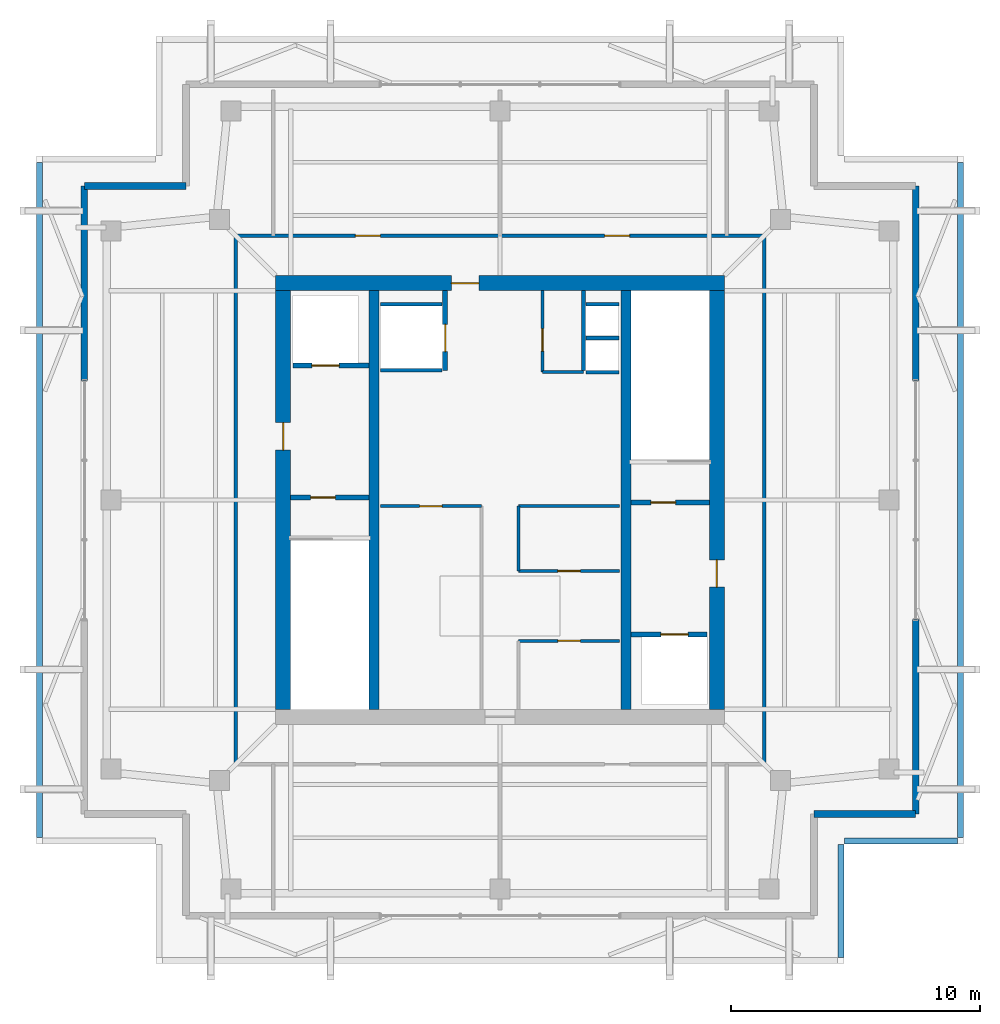
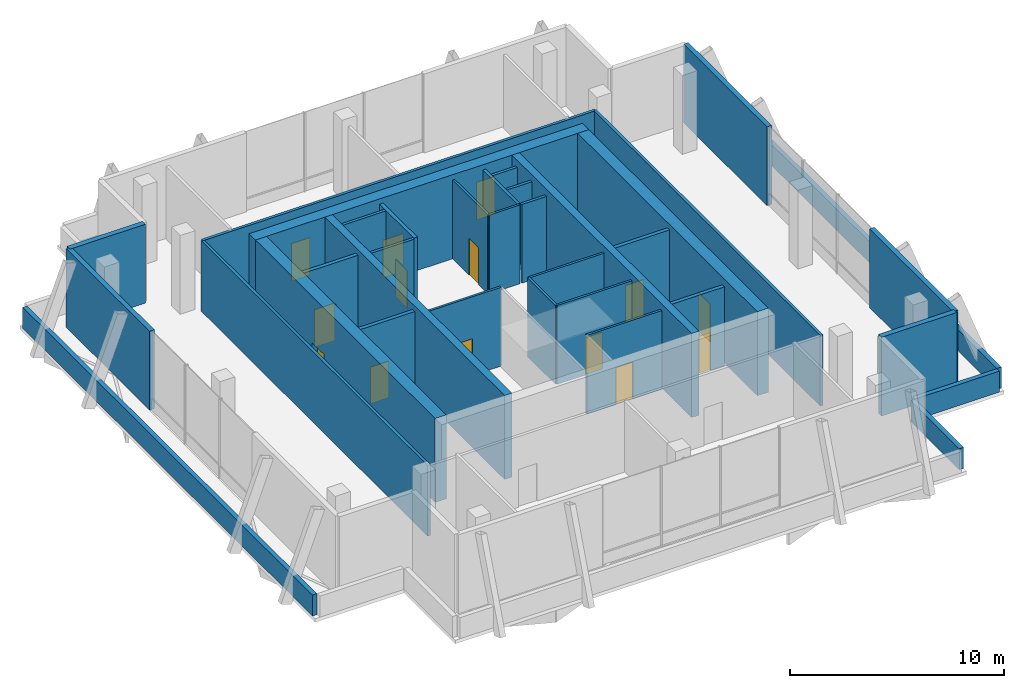
# One storey, part 13 of 15: 35 walls, 14 doors, 14 openings.
"""IFC4 building model written with IfcOpenShell, lengths in metres."""

from ifc_helpers import new_model, si_unit, direction, frame, frame_2d, origin, place, context, subcontext, project, spatial, rectangle, extrude, material, layer, layer_set, type_object, element, fill, save


model = new_model("IFC4")

# Units and contexts
model_context = context("Model", 3, precision=1e-05, world=origin(), true_north=direction((0.0, 1.0)))
body_context = subcontext(model_context, "Body", "Model", "MODEL_VIEW")
ifc_project = project(units=[si_unit("LENGTHUNIT", "METRE"), si_unit("AREAUNIT", "SQUARE_METRE"), si_unit("VOLUMEUNIT", "CUBIC_METRE"), si_unit("PLANEANGLEUNIT", "RADIAN"), si_unit("MASSUNIT", "GRAM", prefix="KILO")], contexts=[model_context])

# Site, building, storey
site_placement = place(None, origin())
site = spatial("IfcSite", under=ifc_project, at=site_placement, CompositionType="ELEMENT")
building_placement = place(site_placement, origin())
building = spatial("IfcBuilding", under=site, at=building_placement, Name="Belovzor Exchange Tower", CompositionType="ELEMENT")
storey_placement = place(building_placement, frame((0.0, 0.0, 373.800048828125)))
storey = spatial("IfcBuildingStorey", under=building, at=storey_placement, Name="L93", CompositionType="ELEMENT", Elevation=373.800048828125)

# Wall, opening, door
ifc_material_1 = material(Name="Fire-Rated Plasterboard on Galvanised Studs", Category="gypsum")
ifc_layer_1 = layer(ifc_material_1, 0.1201171875)
ifc_layer_set_1 = layer_set([ifc_layer_1], Name="Fire-Rated Plasterboard on Galvanised Studs")
wall_type_1 = type_object("IfcWallType", Name="Fire-Rated Double-Stud Partition Wall 120", PredefinedType="PARTITIONING", material=ifc_layer_set_1)
wall_1_placement = place(storey_placement, frame((30.5, 33.925048828125, 0.0), z_axis=(0.0, 0.0, 1.0), x_axis=(0.0, 1.0, 0.0)))
wall_1 = element("IfcWall", 1, at=wall_1_placement, inside=storey, type_object=wall_type_1, Name="W-P120F Partition Wall W-CRV-L93-W", PredefinedType="PARTITIONING", context=body_context, shape_type="SweptSolid", body=[
    extrude(rectangle(XDim=3.27490234375, YDim=0.1201171875, at=frame_2d((1.637451171875, 0.0))), origin(), (0.0, 0.0, 1.0), 4.5),
])
opening_1_placement = place(wall_1_placement, frame((0.85009765625, 0.0, 0.0)))
opening_1 = element("IfcOpeningElement", 2, at=opening_1_placement, cuts=wall_1, Name="Opening D-FD60-090", PredefinedType="OPENING", context=body_context, shape_type="SweptSolid", body=[
    extrude(rectangle(XDim=0.89990234375, YDim=2.10009765625, at=frame_2d((0.449951171875, 1.050048828125))), frame((0.0, 0.070068359375, 0.0), z_axis=(0.0, -1.0, 0.0), x_axis=(1.0, 0.0, 0.0)), (0.0, 0.0, 1.0), 0.14013671875),
])
ifc_material_2 = material(Name="Acoustic Timber Fire Leaf", Category="wood")
door_type_1 = type_object("IfcDoorType", Name="Core Service & Restroom Fire Door 900x2100", OperationType="NOTDEFINED", PredefinedType="DOOR", material=ifc_material_2)
door_1_placement = place(opening_1_placement, origin())
door_1 = element("IfcDoor", 3, at=door_1_placement, inside=storey, type_object=door_type_1, Name="D-FD60-090 Core Service & Restroom Fire Door 900x2100", OperationType="SINGLE_SWING_LEFT", OverallHeight=2.10009765625, OverallWidth=0.89990234375, PredefinedType="DOOR", context=body_context, shape_type="SweptSolid", body=[
    extrude(rectangle(XDim=0.89990234375, YDim=2.10009765625, at=frame_2d((0.449951171875, 1.050048828125))), frame((0.0, 0.02490234375, 0.0), z_axis=(0.0, -1.0, 0.0), x_axis=(1.0, 0.0, 0.0)), (0.0, 0.0, 1.0), 0.050048828125),
])
fill(opening_1, door_1)

# Wall
wall_2_placement = place(storey_placement, frame((30.5, 33.925048828125, 0.0), z_axis=(0.0, 0.0, 1.0), x_axis=(1.0, 0.0, 0.0)))
element("IfcWall", 4, at=wall_2_placement, inside=storey, type_object=wall_type_1, Name="W-P120F Partition Wall W-CRV-L93-S", PredefinedType="PARTITIONING", context=body_context, shape_type="SweptSolid", body=[
    extrude(rectangle(XDim=1.64990234375, YDim=0.1201171875, at=frame_2d((0.824951171875, 0.0))), origin(), (0.0, 0.0, 1.0), 4.5),
])

# Wall, opening, door
wall_3_placement = place(storey_placement, frame((24.0, 28.550048828125, 0.0), z_axis=(0.0, 0.0, 1.0), x_axis=(1.0, 0.0, 0.0)))
wall_3 = element("IfcWall", 5, at=wall_3_placement, inside=storey, type_object=wall_type_1, Name="W-P120F Partition Wall W-CRWB-L93-N", PredefinedType="PARTITIONING", context=body_context, shape_type="SweptSolid", body=[
    extrude(rectangle(XDim=4.050048828125, YDim=0.1201171875, at=frame_2d((2.02490234375, 0.0))), origin(), (0.0, 0.0, 1.0), 4.5),
])
opening_2_placement = place(wall_3_placement, frame((1.574951171875, 0.0, 0.0)))
opening_2 = element("IfcOpeningElement", 6, at=opening_2_placement, cuts=wall_3, Name="Opening D-FD60-090", PredefinedType="OPENING", context=body_context, shape_type="SweptSolid", body=[
    extrude(rectangle(XDim=0.89990234375, YDim=2.10009765625, at=frame_2d((0.449951171875, 1.050048828125))), frame((0.0, 0.070068359375, 0.0), z_axis=(0.0, -1.0, 0.0), x_axis=(1.0, 0.0, 0.0)), (0.0, 0.0, 1.0), 0.14013671875),
])
door_2_placement = place(opening_2_placement, origin())
door_2 = element("IfcDoor", 7, at=door_2_placement, inside=storey, type_object=door_type_1, Name="D-FD60-090 Core Service & Restroom Fire Door 900x2100", OperationType="SINGLE_SWING_LEFT", OverallHeight=2.10009765625, OverallWidth=0.89990234375, PredefinedType="DOOR", context=body_context, shape_type="SweptSolid", body=[
    extrude(rectangle(XDim=0.89990234375, YDim=2.10009765625, at=frame_2d((0.449951171875, 1.050048828125))), frame((0.0, 0.02490234375, 0.0), z_axis=(0.0, -1.0, 0.0), x_axis=(1.0, 0.0, 0.0)), (0.0, 0.0, 1.0), 0.050048828125),
])
fill(opening_2, door_2)

wall_4_placement = place(storey_placement, frame((29.550048828125, 23.14990234375, 0.0), z_axis=(0.0, 0.0, 1.0), x_axis=(1.0, 0.0, 0.0)))
wall_4 = element("IfcWall", 8, at=wall_4_placement, inside=storey, type_object=wall_type_1, Name="W-P120F Partition Wall W-CRL-L93-EN", PredefinedType="PARTITIONING", context=body_context, shape_type="SweptSolid", body=[
    extrude(rectangle(XDim=4.050048828125, YDim=0.1201171875, at=frame_2d((2.02490234375, 0.0))), origin(), (0.0, 0.0, 1.0), 4.5),
])
opening_3_placement = place(wall_4_placement, frame((1.574951171875, 0.0, 0.0)))
opening_3 = element("IfcOpeningElement", 9, at=opening_3_placement, cuts=wall_4, Name="Opening D-FD60-090", PredefinedType="OPENING", context=body_context, shape_type="SweptSolid", body=[
    extrude(rectangle(XDim=0.89990234375, YDim=2.10009765625, at=frame_2d((0.449951171875, 1.050048828125))), frame((0.0, 0.070068359375, 0.0), z_axis=(0.0, -1.0, 0.0), x_axis=(1.0, 0.0, 0.0)), (0.0, 0.0, 1.0), 0.14013671875),
])
door_3_placement = place(opening_3_placement, origin())
door_3 = element("IfcDoor", 10, at=door_3_placement, inside=storey, type_object=door_type_1, Name="D-FD60-090 Core Service & Restroom Fire Door 900x2100", OperationType="SINGLE_SWING_RIGHT", OverallHeight=2.10009765625, OverallWidth=0.89990234375, PredefinedType="DOOR", context=body_context, shape_type="SweptSolid", body=[
    extrude(rectangle(XDim=0.89990234375, YDim=2.10009765625, at=frame_2d((0.449951171875, 1.050048828125))), frame((0.0, 0.02490234375, 0.0), z_axis=(0.0, -1.0, 0.0), x_axis=(1.0, 0.0, 0.0)), (0.0, 0.0, 1.0), 0.050048828125),
])
fill(opening_3, door_3)

wall_5_placement = place(storey_placement, frame((29.550048828125, 25.949951171875, 0.0), z_axis=(0.0, 0.0, 1.0), x_axis=(1.0, 0.0, 0.0)))
wall_5 = element("IfcWall", 11, at=wall_5_placement, inside=storey, type_object=wall_type_1, Name="W-P120F Partition Wall W-CRM-L93-ES", PredefinedType="PARTITIONING", context=body_context, shape_type="SweptSolid", body=[
    extrude(rectangle(XDim=4.050048828125, YDim=0.1201171875, at=frame_2d((2.02490234375, 0.0))), origin(), (0.0, 0.0, 1.0), 4.5),
])
opening_4_placement = place(wall_5_placement, frame((1.574951171875, 0.0, 0.0)))
opening_4 = element("IfcOpeningElement", 12, at=opening_4_placement, cuts=wall_5, Name="Opening D-FD60-090", PredefinedType="OPENING", context=body_context, shape_type="SweptSolid", body=[
    extrude(rectangle(XDim=0.89990234375, YDim=2.10009765625, at=frame_2d((0.449951171875, 1.050048828125))), frame((0.0, 0.070068359375, 0.0), z_axis=(0.0, -1.0, 0.0), x_axis=(1.0, 0.0, 0.0)), (0.0, 0.0, 1.0), 0.14013671875),
])
door_4_placement = place(opening_4_placement, origin())
door_4 = element("IfcDoor", 13, at=door_4_placement, inside=storey, type_object=door_type_1, Name="D-FD60-090 Core Service & Restroom Fire Door 900x2100", OperationType="SINGLE_SWING_RIGHT", OverallHeight=2.10009765625, OverallWidth=0.89990234375, PredefinedType="DOOR", context=body_context, shape_type="SweptSolid", body=[
    extrude(rectangle(XDim=0.89990234375, YDim=2.10009765625, at=frame_2d((0.449951171875, 1.050048828125))), frame((0.0, 0.02490234375, 0.0), z_axis=(0.0, -1.0, 0.0), x_axis=(1.0, 0.0, 0.0)), (0.0, 0.0, 1.0), 0.050048828125),
])
fill(opening_4, door_4)

# Walls
wall_6_placement = place(storey_placement, frame((29.550048828125, 28.550048828125, 0.0), z_axis=(0.0, 0.0, 1.0), x_axis=(1.0, 0.0, 0.0)))
element("IfcWall", 14, at=wall_6_placement, inside=storey, type_object=wall_type_1, Name="W-P120F Partition Wall W-CRM-L93-EN", PredefinedType="PARTITIONING", context=body_context, shape_type="SweptSolid", body=[
    extrude(rectangle(XDim=4.050048828125, YDim=0.1201171875, at=frame_2d((2.02490234375, 0.0))), origin(), (0.0, 0.0, 1.0), 4.5),
])
wall_7_placement = place(storey_placement, frame((29.550048828125, 25.949951171875, 0.0), z_axis=(0.0, 0.0, 1.0), x_axis=(0.0, 1.0, 0.0)))
element("IfcWall", 15, at=wall_7_placement, inside=storey, type_object=wall_type_1, Name="W-P120F Partition Wall W-CRM-L93-EW", PredefinedType="PARTITIONING", context=body_context, shape_type="SweptSolid", body=[
    extrude(rectangle(XDim=2.60009765625, YDim=0.1201171875, at=frame_2d((1.300048828125, 0.0))), origin(), (0.0, 0.0, 1.0), 4.5),
])

# Wall, openings, doors
ifc_material_3 = material(Name="Fire-Rated Gypsum Block and Mineral Wool", Category="gypsum")
ifc_layer_2 = layer(ifc_material_3, 0.14990234375)
ifc_layer_set_2 = layer_set([ifc_layer_2], Name="Fire-Rated Gypsum Block and Mineral Wool")
wall_type_2 = type_object("IfcWallType", Name="Fire-Rated Gypsum Block Corridor Wall 150", PredefinedType="PARTITIONING", material=ifc_layer_set_2)
wall_8_placement = place(storey_placement, frame((18.199951171875, 39.39990234375, 0.0), z_axis=(0.0, 0.0, 1.0), x_axis=(1.0, 0.0, 0.0)))
wall_8 = element("IfcWall", 16, at=wall_8_placement, inside=storey, type_object=wall_type_2, Name="W-P150 Partition Wall W-L93-PCN", PredefinedType="PARTITIONING", context=body_context, shape_type="SweptSolid", body=[
    extrude(rectangle(XDim=21.199951171875, YDim=0.14990234375, at=frame_2d((10.60009765625, 0.0))), origin(), (0.0, 0.0, 1.0), 4.034912109375),
])
opening_5_placement = place(wall_8_placement, frame((4.800048828125, 0.0, 0.0)))
opening_5 = element("IfcOpeningElement", 17, at=opening_5_placement, cuts=wall_8, Name="Opening D-FD90-105", PredefinedType="OPENING", context=body_context, shape_type="SweptSolid", body=[
    extrude(rectangle(XDim=1.0, YDim=2.14990234375, at=frame_2d((0.5, 1.074951171875))), frame((0.0, 0.0849609375, 0.0), z_axis=(0.0, -1.0, 0.0), x_axis=(1.0, 0.0, 0.0)), (0.0, 0.0, 1.0), 0.169921875),
])
opening_6_placement = place(wall_8_placement, frame((14.800048828125, 0.0, 0.0)))
opening_6 = element("IfcOpeningElement", 18, at=opening_6_placement, cuts=wall_8, Name="Opening D-FD90-105", PredefinedType="OPENING", context=body_context, shape_type="SweptSolid", body=[
    extrude(rectangle(XDim=1.0, YDim=2.14990234375, at=frame_2d((0.5, 1.074951171875))), frame((0.0, 0.0849609375, 0.0), z_axis=(0.0, -1.0, 0.0), x_axis=(1.0, 0.0, 0.0)), (0.0, 0.0, 1.0), 0.169921875),
])
ifc_material_4 = material(Name="Fire-Rated Galvanised Steel Leaf", Category="steel")
door_type_2 = type_object("IfcDoorType", Name="Core North Foyer Fire Door 1000x2150", OperationType="NOTDEFINED", PredefinedType="DOOR", material=ifc_material_4)
door_5_placement = place(opening_5_placement, origin())
door_5 = element("IfcDoor", 19, at=door_5_placement, inside=storey, type_object=door_type_2, Name="D-FD90-105 Core North Foyer Fire Door 1000x2150", OperationType="SINGLE_SWING_LEFT", OverallHeight=2.14990234375, OverallWidth=1.0, PredefinedType="DOOR", context=body_context, shape_type="SweptSolid", body=[
    extrude(rectangle(XDim=1.0, YDim=2.14990234375, at=frame_2d((0.5, 1.074951171875))), frame((0.0, 0.02490234375, 0.0), z_axis=(0.0, -1.0, 0.0), x_axis=(1.0, 0.0, 0.0)), (0.0, 0.0, 1.0), 0.050048828125),
])
fill(opening_5, door_5)
door_6_placement = place(opening_6_placement, origin())
door_6 = element("IfcDoor", 20, at=door_6_placement, inside=storey, type_object=door_type_2, Name="D-FD90-105 Core North Foyer Fire Door 1000x2150", OperationType="SINGLE_SWING_RIGHT", OverallHeight=2.14990234375, OverallWidth=1.0, PredefinedType="DOOR", context=body_context, shape_type="SweptSolid", body=[
    extrude(rectangle(XDim=1.0, YDim=2.14990234375, at=frame_2d((0.5, 1.074951171875))), frame((0.0, 0.02490234375, 0.0), z_axis=(0.0, -1.0, 0.0), x_axis=(1.0, 0.0, 0.0)), (0.0, 0.0, 1.0), 0.050048828125),
])
fill(opening_6, door_6)

# Walls
for number, where, z_axis, x_axis, name in (
    (21, (18.199951171875, 18.199951171875, 0.0), (0.0, 0.0, 1.0), (0.0, 1.0, 0.0), "W-P150 Partition Wall W-L93-PCW"),
    (22, (39.39990234375, 18.199951171875, 0.0), (0.0, 0.0, 1.0), (0.0, 1.0, 0.0), "W-P150 Partition Wall W-L93-PCE"),
):
    element("IfcWall", number, at=place(storey_placement, frame(where, z_axis=z_axis, x_axis=x_axis)), inside=storey, type_object=wall_type_2, Name=name, PredefinedType="PARTITIONING", context=body_context, shape_type="SweptSolid", body=[
        extrude(rectangle(XDim=21.199951171875, YDim=0.14990234375, at=frame_2d((10.60009765625, 0.0))), origin(), (0.0, 0.0, 1.0), 4.034912109375),
    ])
ifc_material_5 = material(Name="Precast concrete C40/50", Category="concrete")
ifc_layer_3 = layer(ifc_material_5, 0.280029296875)
ifc_layer_set_3 = layer_set([ifc_layer_3], Name="Precast concrete C40/50")
wall_type_3 = type_object("IfcWallType", Name="Precast Concrete Notched Corner Frame Wall 280", PredefinedType="SOLIDWALL", material=ifc_layer_set_3)
for number, where, z_axis, x_axis, name in (
    (23, (12.1298828125, 41.39990234375, 0.0), (0.0, 0.0, 1.0), (1.0, 0.0, 0.0), "W-CRN280 Precast Concrete Notched Corner Frame Wall 280 L93"),
    (24, (45.469970703125, 16.199951171875, 0.0), (0.0, 0.0, 1.0), (-1.0, 0.0, 0.0), "W-CRN280 Precast Concrete Notched Corner Frame Wall 280 L93"),
):
    element("IfcWall", number, at=place(storey_placement, frame(where, z_axis=z_axis, x_axis=x_axis)), inside=storey, type_object=wall_type_3, Name=name, PredefinedType="SOLIDWALL", context=body_context, shape_type="SweptSolid", body=[
        extrude(rectangle(XDim=4.070068359375, YDim=0.280029296875, at=frame_2d((2.03515625, 0.0))), origin(), (0.0, 0.0, 1.0), 4.5),
    ])
ifc_material_6 = material(Name="Precast concrete C40/50", Category="concrete")
ifc_layer_4 = layer(ifc_material_6, 0.260009765625)
ifc_layer_set_4 = layer_set([ifc_layer_4], Name="Precast concrete C40/50")
wall_type_4 = type_object("IfcWallType", Name="Precast Concrete Perimeter Loggia Frame Wall 260", PredefinedType="SOLIDWALL", material=ifc_layer_set_4)
for number, where, z_axis, x_axis, name in (
    (25, (12.1298828125, 33.60009765625, 0.0), (0.0, 0.0, 1.0), (0.0, 1.0, 0.0), "W-EXT260 Precast Concrete Perimeter Loggia Frame Wall 260 L93"),
    (26, (45.469970703125, 41.39990234375, 0.0), (0.0, 0.0, 1.0), (0.0, -1.0, 0.0), "W-EXT260 Precast Concrete Perimeter Loggia Frame Wall 260 L93"),
):
    element("IfcWall", number, at=place(storey_placement, frame(where, z_axis=z_axis, x_axis=x_axis)), inside=storey, type_object=wall_type_4, Name=name, PredefinedType="SOLIDWALL", context=body_context, shape_type="SweptSolid", body=[
        extrude(rectangle(XDim=7.7998046875, YDim=0.260009765625, at=frame_2d((3.89990234375, 0.0))), origin(), (0.0, 0.0, 1.0), 4.5),
    ])
wall_9_placement = place(storey_placement, frame((45.469970703125, 24.0, 0.0), z_axis=(0.0, 0.0, 1.0), x_axis=(0.0, -1.0, 0.0)))
element("IfcWall", 27, at=wall_9_placement, inside=storey, type_object=wall_type_4, Name="W-EXT260 Precast Concrete Perimeter Loggia Frame Wall 260 L93", PredefinedType="SOLIDWALL", context=body_context, shape_type="SweptSolid", body=[
    extrude(rectangle(XDim=7.800048828125, YDim=0.260009765625, at=frame_2d((3.89990234375, 0.0))), origin(), (0.0, 0.0, 1.0), 4.5),
])
ifc_material_7 = material(Name="Precast concrete C40/50", Category="concrete")
ifc_layer_5 = layer(ifc_material_7, 0.239990234375)
ifc_layer_set_5 = layer_set([ifc_layer_5], Name="Precast concrete C40/50")
wall_type_5 = type_object("IfcWallType", Name="Precast Stone Setback Roof Parapet Wall 240", PredefinedType="PARAPET", material=ifc_layer_set_5)
for number, where, z_axis, x_axis, name in (
    (28, (42.47998046875, 10.455078125, 0.0), (0.0, 0.0, 1.0), (0.0, 1.0, 0.0), "W-PAR240 Precast Stone Setback Roof Parapet Wall 240 L93"),
    (29, (42.614990234375, 15.1201171875, 0.0), (0.0, 0.0, 1.0), (1.0, 0.0, 0.0), "W-PAR240 Precast Stone Setback Roof Parapet Wall 240 L93"),
):
    element("IfcWall", number, at=place(storey_placement, frame(where, z_axis=z_axis, x_axis=x_axis)), inside=storey, type_object=wall_type_5, Name=name, PredefinedType="PARAPET", context=body_context, shape_type="SweptSolid", body=[
        extrude(rectangle(XDim=4.530029296875, YDim=0.239990234375, at=frame_2d((2.26513671875, 0.0))), origin(), (0.0, 0.0, 1.0), 1.199951171875),
    ])
for number, where, z_axis, x_axis, name in (
    (30, (47.280029296875, 15.2548828125, 0.0), (0.0, 0.0, 1.0), (0.0, 1.0, 0.0), "W-PAR240 Precast Stone Setback Roof Parapet Wall 240 L93"),
    (31, (10.320068359375, 42.344970703125, 0.0), (0.0, 0.0, 1.0), (0.0, -1.0, 0.0), "W-PAR240 Precast Stone Setback Roof Parapet Wall 240 L93"),
):
    element("IfcWall", number, at=place(storey_placement, frame(where, z_axis=z_axis, x_axis=x_axis)), inside=storey, type_object=wall_type_5, Name=name, PredefinedType="PARAPET", context=body_context, shape_type="SweptSolid", body=[
        extrude(rectangle(XDim=27.090087890625, YDim=0.239990234375, at=frame_2d((13.544921875, 0.0))), origin(), (0.0, 0.0, 1.0), 1.199951171875),
    ])
ifc_material_8 = material(Name="Concrete C50/60", Category="concrete")
ifc_layer_6 = layer(ifc_material_8, 0.39990234375)
ifc_layer_set_6 = layer_set([ifc_layer_6], Name="Concrete C50/60")
wall_type_6 = type_object("IfcWallType", Name="Reinforced Concrete Core Internal Web Wall 400", PredefinedType="SHEAR", material=ifc_layer_set_6)
for number, where, z_axis, x_axis, name in (
    (32, (23.75, 20.39990234375, 0.0), (0.0, 0.0, 1.0), (0.0, 1.0, 0.0), "CW-W040 Core Internal Web Wall L93 WL"),
    (33, (33.85009765625, 20.39990234375, 0.0), (0.0, 0.0, 1.0), (0.0, 1.0, 0.0), "CW-W040 Core Internal Web Wall L93 ER"),
):
    element("IfcWall", number, at=place(storey_placement, frame(where, z_axis=z_axis, x_axis=x_axis)), inside=storey, type_object=wall_type_6, Name=name, PredefinedType="SHEAR", context=body_context, shape_type="SweptSolid", body=[
        extrude(rectangle(XDim=16.800048828125, YDim=0.39990234375, at=frame_2d((8.39990234375, 0.0))), origin(), (0.0, 0.0, 1.0), 4.800048828125),
    ])
ifc_material_9 = material(Name="Concrete C50/60", Category="concrete")
ifc_layer_7 = layer(ifc_material_9, 0.14990234375)
ifc_layer_set_7 = layer_set([ifc_layer_7], Name="Concrete C50/60")
wall_type_7 = type_object("IfcWallType", Name="Reinforced Concrete Core Riser Shear Wall 150", PredefinedType="SHEAR", material=ifc_layer_set_7)
wall_10_placement = place(storey_placement, frame((32.14990234375, 34.0, 0.0), z_axis=(0.0, 0.0, 1.0), x_axis=(0.0, 1.0, 0.0)))
element("IfcWall", 34, at=wall_10_placement, inside=storey, type_object=wall_type_7, Name="W-C150S Core Shaft Wall W-RSR-L93-E", PredefinedType="SHEAR", context=body_context, shape_type="SweptSolid", body=[
    extrude(rectangle(XDim=3.199951171875, YDim=0.14990234375, at=frame_2d((1.60009765625, 0.0))), origin(), (0.0, 0.0, 1.0), 4.5),
])
for number, where, z_axis, x_axis, name in (
    (35, (32.25, 33.925048828125, 0.0), (0.0, 0.0, 1.0), (1.0, 0.0, 0.0), "W-C150S Core Shaft Wall W-RSR-L93-S"),
    (36, (32.25, 35.300048828125, 0.0), (0.0, 0.0, 1.0), (1.0, 0.0, 0.0), "W-C150S Core Shaft Wall W-RSR-L93-M"),
):
    element("IfcWall", number, at=place(storey_placement, frame(where, z_axis=z_axis, x_axis=x_axis)), inside=storey, type_object=wall_type_7, Name=name, PredefinedType="SHEAR", context=body_context, shape_type="SweptSolid", body=[
        extrude(rectangle(XDim=1.330078125, YDim=0.14990234375, at=frame_2d((0.6650390625, 0.0))), origin(), (0.0, 0.0, 1.0), 4.5),
    ])
for number, where, z_axis, x_axis, name in (
    (37, (24.0, 34.0, 0.0), (0.0, 0.0, 1.0), (1.0, 0.0, 0.0), "W-C150S Core Shaft Wall W-SH-L93-SL-01S"),
    (38, (24.0, 36.64990234375, 0.0), (0.0, 0.0, 1.0), (1.0, 0.0, 0.0), "W-C150S Core Shaft Wall W-SH-L93-SL-01N"),
):
    element("IfcWall", number, at=place(storey_placement, frame(where, z_axis=z_axis, x_axis=x_axis)), inside=storey, type_object=wall_type_7, Name=name, PredefinedType="SHEAR", context=body_context, shape_type="SweptSolid", body=[
        extrude(rectangle(XDim=2.47998046875, YDim=0.14990234375, at=frame_2d((1.239990234375, 0.0))), origin(), (0.0, 0.0, 1.0), 4.5),
    ])
wall_11_placement = place(storey_placement, frame((32.25, 36.64990234375, 0.0), z_axis=(0.0, 0.0, 1.0), x_axis=(1.0, 0.0, 0.0)))
element("IfcWall", 39, at=wall_11_placement, inside=storey, type_object=wall_type_7, Name="W-C150S Core Shaft Wall W-RSR-L93-N", PredefinedType="SHEAR", context=body_context, shape_type="SweptSolid", body=[
    extrude(rectangle(XDim=1.330078125, YDim=0.14990234375, at=frame_2d((0.6650390625, 0.0))), origin(), (0.0, 0.0, 1.0), 4.5),
])

# Wall, opening, door
ifc_material_10 = material(Name="Concrete C50/60", Category="concrete")
ifc_layer_8 = layer(ifc_material_10, 0.199951171875)
ifc_layer_set_8 = layer_set([ifc_layer_8], Name="Concrete C50/60")
wall_type_8 = type_object("IfcWallType", Name="Reinforced Concrete Core Shaft Shear Wall 200", PredefinedType="SHEAR", material=ifc_layer_set_8)
wall_12_placement = place(storey_placement, frame((20.39990234375, 28.89990234375, 0.0), z_axis=(0.0, 0.0, 1.0), x_axis=(1.0, 0.0, 0.0)))
wall_12 = element("IfcWall", 40, at=wall_12_placement, inside=storey, type_object=wall_type_8, Name="W-C200S Core Shaft Wall W-CORE-L93-FFLW1", PredefinedType="SHEAR", context=body_context, shape_type="SweptSolid", body=[
    extrude(rectangle(XDim=3.150146484375, YDim=0.199951171875, at=frame_2d((1.5751953125, 0.0))), origin(), (0.0, 0.0, 1.0), 4.5),
])
opening_7_placement = place(wall_12_placement, frame((0.800048828125, 0.0, 0.0)))
opening_7 = element("IfcOpeningElement", 41, at=opening_7_placement, cuts=wall_12, Name="Opening D-FD90-100", PredefinedType="OPENING", context=body_context, shape_type="SweptSolid", body=[
    extrude(rectangle(XDim=1.0, YDim=2.10009765625, at=frame_2d((0.5, 1.050048828125))), frame((0.0, 0.10986328125, 0.0), z_axis=(0.0, -1.0, 0.0), x_axis=(1.0, 0.0, 0.0)), (0.0, 0.0, 1.0), 0.219970703125),
])
ifc_material_11 = material(Name="Fire-Rated Galvanised Steel Leaf", Category="steel")
door_type_3 = type_object("IfcDoorType", Name="Protected Stairwell Single Fire Door 1000x2100", OperationType="NOTDEFINED", PredefinedType="DOOR", material=ifc_material_11)
door_7_placement = place(opening_7_placement, origin())
door_7 = element("IfcDoor", 42, at=door_7_placement, inside=storey, type_object=door_type_3, Name="D-FD90-100 Protected Stairwell Single Fire Door 1000x2100", OperationType="SINGLE_SWING_RIGHT", OverallHeight=2.10009765625, OverallWidth=1.0, PredefinedType="DOOR", context=body_context, shape_type="SweptSolid", body=[
    extrude(rectangle(XDim=1.0, YDim=2.10009765625, at=frame_2d((0.5, 1.050048828125))), frame((0.0, 0.02490234375, 0.0), z_axis=(0.0, -1.0, 0.0), x_axis=(1.0, 0.0, 0.0)), (0.0, 0.0, 1.0), 0.050048828125),
])
fill(opening_7, door_7)

wall_13_placement = place(storey_placement, frame((34.050048828125, 28.699951171875, 0.0), z_axis=(0.0, 0.0, 1.0), x_axis=(1.0, 0.0, 0.0)))
wall_13 = element("IfcWall", 43, at=wall_13_placement, inside=storey, type_object=wall_type_8, Name="W-C200S Core Shaft Wall W-CORE-L93-FFLE2", PredefinedType="SHEAR", context=body_context, shape_type="SweptSolid", body=[
    extrude(rectangle(XDim=3.14990234375, YDim=0.199951171875, at=frame_2d((1.574951171875, 0.0))), origin(), (0.0, 0.0, 1.0), 4.5),
])
opening_8_placement = place(wall_13_placement, frame((0.800048828125, 0.0, 0.0)))
opening_8 = element("IfcOpeningElement", 44, at=opening_8_placement, cuts=wall_13, Name="Opening D-FD90-100", PredefinedType="OPENING", context=body_context, shape_type="SweptSolid", body=[
    extrude(rectangle(XDim=1.0, YDim=2.10009765625, at=frame_2d((0.5, 1.050048828125))), frame((0.0, 0.10986328125, 0.0), z_axis=(0.0, -1.0, 0.0), x_axis=(1.0, 0.0, 0.0)), (0.0, 0.0, 1.0), 0.219970703125),
])
door_8_placement = place(opening_8_placement, origin())
door_8 = element("IfcDoor", 45, at=door_8_placement, inside=storey, type_object=door_type_3, Name="D-FD90-100 Protected Stairwell Single Fire Door 1000x2100", OperationType="SINGLE_SWING_LEFT", OverallHeight=2.10009765625, OverallWidth=1.0, PredefinedType="DOOR", context=body_context, shape_type="SweptSolid", body=[
    extrude(rectangle(XDim=1.0, YDim=2.10009765625, at=frame_2d((0.5, 1.050048828125))), frame((0.0, 0.02490234375, 0.0), z_axis=(0.0, -1.0, 0.0), x_axis=(1.0, 0.0, 0.0)), (0.0, 0.0, 1.0), 0.050048828125),
])
fill(opening_8, door_8)

wall_14_placement = place(storey_placement, frame((20.5, 34.199951171875, 0.0), z_axis=(0.0, 0.0, 1.0), x_axis=(1.0, 0.0, 0.0)))
wall_14 = element("IfcWall", 46, at=wall_14_placement, inside=storey, type_object=wall_type_8, Name="W-C200S Core Shaft Wall W-SH-L93-FFL-01", PredefinedType="SHEAR", context=body_context, shape_type="SweptSolid", body=[
    extrude(rectangle(XDim=3.050048828125, YDim=0.199951171875, at=frame_2d((1.52490234375, 0.0))), origin(), (0.0, 0.0, 1.0), 4.5),
])
opening_9_placement = place(wall_14_placement, frame((0.75, 0.0, 0.0)))
opening_9 = element("IfcOpeningElement", 47, at=opening_9_placement, cuts=wall_14, Name="Opening LD-110", PredefinedType="OPENING", context=body_context, shape_type="SweptSolid", body=[
    extrude(rectangle(XDim=1.10009765625, YDim=2.14990234375, at=frame_2d((0.550048828125, 1.074951171875))), frame((0.0, 0.10986328125, 0.0), z_axis=(0.0, -1.0, 0.0), x_axis=(1.0, 0.0, 0.0)), (0.0, 0.0, 1.0), 0.219970703125),
])
ifc_material_12 = material(Name="Stainless Steel Grade 304", Category="steel")
door_type_4 = type_object("IfcDoorType", Name="Automated Stainless Steel Lift Landing Door 1100x2150", OperationType="SLIDING_TO_RIGHT", PredefinedType="DOOR", material=ifc_material_12)
door_9_placement = place(opening_9_placement, origin())
door_9 = element("IfcDoor", 48, at=door_9_placement, inside=storey, type_object=door_type_4, Name="LD-110 Automated Stainless Steel Lift Landing Door 1100x2150", OperationType="SLIDING_TO_RIGHT", OverallHeight=2.14990234375, OverallWidth=1.10009765625, PredefinedType="DOOR", context=body_context, shape_type="SweptSolid", body=[
    extrude(rectangle(XDim=1.10009765625, YDim=2.14990234375, at=frame_2d((0.550048828125, 1.074951171875))), frame((0.0, 0.02490234375, 0.0), z_axis=(0.0, -1.0, 0.0), x_axis=(1.0, 0.0, 0.0)), (0.0, 0.0, 1.0), 0.050048828125),
])
fill(opening_9, door_9)

wall_15_placement = place(storey_placement, frame((34.050048828125, 23.39990234375, 0.0), z_axis=(0.0, 0.0, 1.0), x_axis=(1.0, 0.0, 0.0)))
wall_15 = element("IfcWall", 49, at=wall_15_placement, inside=storey, type_object=wall_type_8, Name="W-C200S Core Shaft Wall W-SH-L93-FFL-02", PredefinedType="SHEAR", context=body_context, shape_type="SweptSolid", body=[
    extrude(rectangle(XDim=3.050048828125, YDim=0.199951171875, at=frame_2d((1.52490234375, 0.0))), origin(), (0.0, 0.0, 1.0), 4.5),
])
opening_10_placement = place(wall_15_placement, frame((1.199951171875, 0.0, 0.0)))
opening_10 = element("IfcOpeningElement", 50, at=opening_10_placement, cuts=wall_15, Name="Opening LD-110", PredefinedType="OPENING", context=body_context, shape_type="SweptSolid", body=[
    extrude(rectangle(XDim=1.10009765625, YDim=2.14990234375, at=frame_2d((0.550048828125, 1.074951171875))), frame((0.0, 0.10986328125, 0.0), z_axis=(0.0, -1.0, 0.0), x_axis=(1.0, 0.0, 0.0)), (0.0, 0.0, 1.0), 0.219970703125),
])
door_10_placement = place(opening_10_placement, origin())
door_10 = element("IfcDoor", 51, at=door_10_placement, inside=storey, type_object=door_type_4, Name="LD-110 Automated Stainless Steel Lift Landing Door 1100x2150", OperationType="SLIDING_TO_RIGHT", OverallHeight=2.14990234375, OverallWidth=1.10009765625, PredefinedType="DOOR", context=body_context, shape_type="SweptSolid", body=[
    extrude(rectangle(XDim=1.10009765625, YDim=2.14990234375, at=frame_2d((0.550048828125, 1.074951171875))), frame((0.0, 0.02490234375, 0.0), z_axis=(0.0, -1.0, 0.0), x_axis=(1.0, 0.0, 0.0)), (0.0, 0.0, 1.0), 0.050048828125),
])
fill(opening_10, door_10)

wall_16_placement = place(storey_placement, frame((26.60009765625, 34.0, 0.0), z_axis=(0.0, 0.0, 1.0), x_axis=(0.0, 1.0, 0.0)))
wall_16 = element("IfcWall", 52, at=wall_16_placement, inside=storey, type_object=wall_type_8, Name="W-C200S Core Shaft Wall W-SH-L93-SL-01", PredefinedType="SHEAR", context=body_context, shape_type="SweptSolid", body=[
    extrude(rectangle(XDim=3.199951171875, YDim=0.199951171875, at=frame_2d((1.60009765625, 0.0))), origin(), (0.0, 0.0, 1.0), 4.5),
])
opening_11_placement = place(wall_16_placement, frame((0.75, 0.0, 0.0)))
opening_11 = element("IfcOpeningElement", 53, at=opening_11_placement, cuts=wall_16, Name="Opening LD-110", PredefinedType="OPENING", context=body_context, shape_type="SweptSolid", body=[
    extrude(rectangle(XDim=1.10009765625, YDim=2.14990234375, at=frame_2d((0.550048828125, 1.074951171875))), frame((0.0, 0.10986328125, 0.0), z_axis=(0.0, -1.0, 0.0), x_axis=(1.0, 0.0, 0.0)), (0.0, 0.0, 1.0), 0.219970703125),
])
door_11_placement = place(opening_11_placement, origin())
door_11 = element("IfcDoor", 54, at=door_11_placement, inside=storey, type_object=door_type_4, Name="LD-110 Automated Stainless Steel Lift Landing Door 1100x2150", OperationType="SLIDING_TO_RIGHT", OverallHeight=2.14990234375, OverallWidth=1.10009765625, PredefinedType="DOOR", context=body_context, shape_type="SweptSolid", body=[
    extrude(rectangle(XDim=1.10009765625, YDim=2.14990234375, at=frame_2d((0.550048828125, 1.074951171875))), frame((0.0, 0.02490234375, 0.0), z_axis=(0.0, -1.0, 0.0), x_axis=(1.0, 0.0, 0.0)), (0.0, 0.0, 1.0), 0.050048828125),
])
fill(opening_11, door_11)

ifc_material_13 = material(Name="Concrete C50/60", Category="concrete")
ifc_layer_9 = layer(ifc_material_13, 0.60009765625)
ifc_layer_set_9 = layer_set([ifc_layer_9], Name="Concrete C50/60")
wall_type_9 = type_object("IfcWallType", Name="Reinforced Concrete Core Shear Wall 600", PredefinedType="SHEAR", material=ifc_layer_set_9)
wall_17_placement = place(storey_placement, frame((19.800048828125, 37.5, 0.0), z_axis=(0.0, 0.0, 1.0), x_axis=(1.0, 0.0, 0.0)))
wall_17 = element("IfcWall", 55, at=wall_17_placement, inside=storey, type_object=wall_type_9, Name="CW-S060 Core Shear Wall L93 N", PredefinedType="SHEAR", context=body_context, shape_type="SweptSolid", body=[
    extrude(rectangle(XDim=18.0, YDim=0.60009765625, at=frame_2d((9.0, 0.0))), origin(), (0.0, 0.0, 1.0), 4.800048828125),
])
opening_12_placement = place(wall_17_placement, frame((7.050048828125, 0.0, 0.0)))
opening_12 = element("IfcOpeningElement", 56, at=opening_12_placement, cuts=wall_17, Name="Opening D-FD90-110", PredefinedType="OPENING", context=body_context, shape_type="SweptSolid", body=[
    extrude(rectangle(XDim=1.10009765625, YDim=2.14990234375, at=frame_2d((0.550048828125, 1.074951171875))), frame((0.0, 0.31005859375, 0.0), z_axis=(0.0, -1.0, 0.0), x_axis=(1.0, 0.0, 0.0)), (0.0, 0.0, 1.0), 0.6201171875),
])
ifc_material_14 = material(Name="Fire-Rated Galvanised Steel Leaf", Category="steel")
door_type_5 = type_object("IfcDoorType", Name="Protected Escape Vestibule Fire Door 1100x2150", OperationType="NOTDEFINED", PredefinedType="DOOR", material=ifc_material_14)
door_12_placement = place(opening_12_placement, origin())
door_12 = element("IfcDoor", 57, at=door_12_placement, inside=storey, type_object=door_type_5, Name="D-FD90-110 Protected Escape Vestibule Fire Door 1100x2150", OperationType="SINGLE_SWING_RIGHT", OverallHeight=2.14990234375, OverallWidth=1.10009765625, PredefinedType="DOOR", context=body_context, shape_type="SweptSolid", body=[
    extrude(rectangle(XDim=1.10009765625, YDim=2.14990234375, at=frame_2d((0.550048828125, 1.074951171875))), frame((0.0, 0.02490234375, 0.0), z_axis=(0.0, -1.0, 0.0), x_axis=(1.0, 0.0, 0.0)), (0.0, 0.0, 1.0), 0.050048828125),
])
fill(opening_12, door_12)

wall_18_placement = place(storey_placement, frame((20.10009765625, 20.39990234375, 0.0), z_axis=(0.0, 0.0, 1.0), x_axis=(0.0, 1.0, 0.0)))
wall_18 = element("IfcWall", 58, at=wall_18_placement, inside=storey, type_object=wall_type_9, Name="CW-S060 Core Shear Wall L93 W", PredefinedType="SHEAR", context=body_context, shape_type="SweptSolid", body=[
    extrude(rectangle(XDim=16.800048828125, YDim=0.60009765625, at=frame_2d((8.39990234375, 0.0))), origin(), (0.0, 0.0, 1.0), 4.800048828125),
])
opening_13_placement = place(wall_18_placement, frame((10.39990234375, 0.0, 0.0)))
opening_13 = element("IfcOpeningElement", 59, at=opening_13_placement, cuts=wall_18, Name="Opening D-FD90-110", PredefinedType="OPENING", context=body_context, shape_type="SweptSolid", body=[
    extrude(rectangle(XDim=1.10009765625, YDim=2.14990234375, at=frame_2d((0.550048828125, 1.074951171875))), frame((0.0, 0.31005859375, 0.0), z_axis=(0.0, -1.0, 0.0), x_axis=(1.0, 0.0, 0.0)), (0.0, 0.0, 1.0), 0.6201171875),
])
door_13_placement = place(opening_13_placement, origin())
door_13 = element("IfcDoor", 60, at=door_13_placement, inside=storey, type_object=door_type_5, Name="D-FD90-110 Protected Escape Vestibule Fire Door 1100x2150", OperationType="SINGLE_SWING_LEFT", OverallHeight=2.14990234375, OverallWidth=1.10009765625, PredefinedType="DOOR", context=body_context, shape_type="SweptSolid", body=[
    extrude(rectangle(XDim=1.10009765625, YDim=2.14990234375, at=frame_2d((0.550048828125, 1.074951171875))), frame((0.0, 0.02490234375, 0.0), z_axis=(0.0, -1.0, 0.0), x_axis=(1.0, 0.0, 0.0)), (0.0, 0.0, 1.0), 0.050048828125),
])
fill(opening_13, door_13)

wall_19_placement = place(storey_placement, frame((37.5, 20.39990234375, 0.0), z_axis=(0.0, 0.0, 1.0), x_axis=(0.0, 1.0, 0.0)))
wall_19 = element("IfcWall", 61, at=wall_19_placement, inside=storey, type_object=wall_type_9, Name="CW-S060 Core Shear Wall L93 E", PredefinedType="SHEAR", context=body_context, shape_type="SweptSolid", body=[
    extrude(rectangle(XDim=16.800048828125, YDim=0.60009765625, at=frame_2d((8.39990234375, 0.0))), origin(), (0.0, 0.0, 1.0), 4.800048828125),
])
opening_14_placement = place(wall_19_placement, frame((4.89990234375, 0.0, 0.0)))
opening_14 = element("IfcOpeningElement", 62, at=opening_14_placement, cuts=wall_19, Name="Opening D-FD90-110", PredefinedType="OPENING", context=body_context, shape_type="SweptSolid", body=[
    extrude(rectangle(XDim=1.10009765625, YDim=2.14990234375, at=frame_2d((0.550048828125, 1.074951171875))), frame((0.0, 0.31005859375, 0.0), z_axis=(0.0, -1.0, 0.0), x_axis=(1.0, 0.0, 0.0)), (0.0, 0.0, 1.0), 0.6201171875),
])
door_14_placement = place(opening_14_placement, origin())
door_14 = element("IfcDoor", 63, at=door_14_placement, inside=storey, type_object=door_type_5, Name="D-FD90-110 Protected Escape Vestibule Fire Door 1100x2150", OperationType="SINGLE_SWING_RIGHT", OverallHeight=2.14990234375, OverallWidth=1.10009765625, PredefinedType="DOOR", context=body_context, shape_type="SweptSolid", body=[
    extrude(rectangle(XDim=1.10009765625, YDim=2.14990234375, at=frame_2d((0.550048828125, 1.074951171875))), frame((0.0, 0.02490234375, 0.0), z_axis=(0.0, -1.0, 0.0), x_axis=(1.0, 0.0, 0.0)), (0.0, 0.0, 1.0), 0.050048828125),
])
fill(opening_14, door_14)

save(model, "model.ifc")
